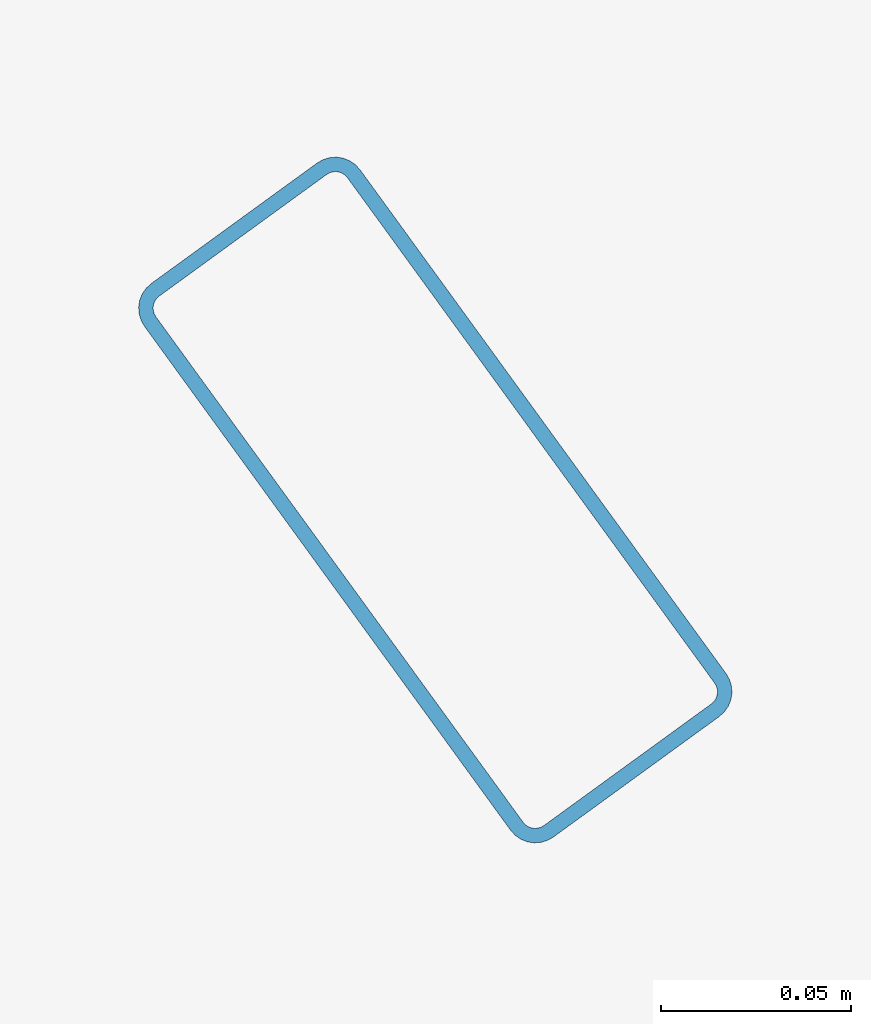
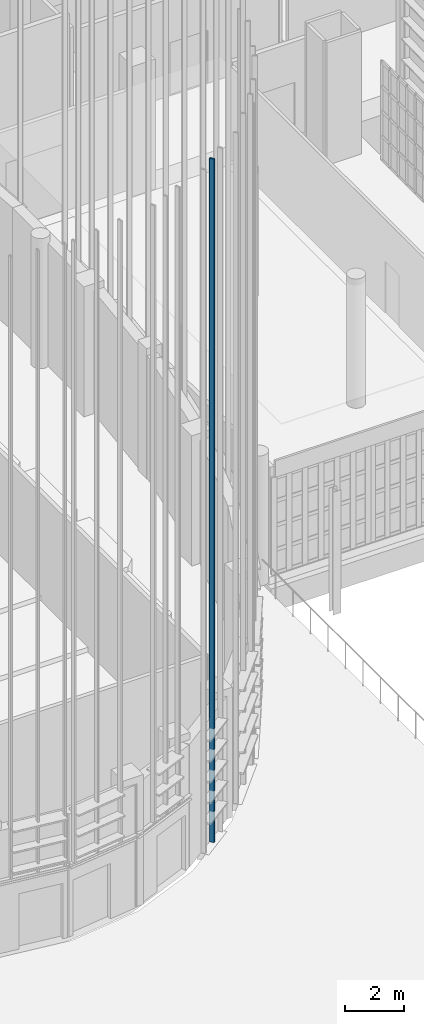
# One storey, part 52 of 372: 1 member.
"""IFC4 building model written with IfcOpenShell, lengths in metres."""

from ifc_helpers import new_model, si_unit, direction, frame, origin, origin_2d, place, context, subcontext, project, spatial, hollow_rectangle, extrude, material, material_profile, profile_set, type_object, element, save


model = new_model("IFC4")

# Units and contexts
model_context = context("Model", 3, precision=1e-05, world=origin(), true_north=direction((0.0, 1.0)))
body_context = subcontext(model_context, "Body", "Model", "MODEL_VIEW")
ifc_project = project(units=[si_unit("LENGTHUNIT", "METRE"), si_unit("AREAUNIT", "SQUARE_METRE"), si_unit("VOLUMEUNIT", "CUBIC_METRE"), si_unit("PLANEANGLEUNIT", "RADIAN"), si_unit("MASSUNIT", "GRAM", prefix="KILO")], contexts=[model_context])

# Site, building, storey
site_placement = place(None, origin())
site = spatial("IfcSite", under=ifc_project, at=site_placement, CompositionType="ELEMENT")
building_placement = place(site_placement, origin())
building = spatial("IfcBuilding", under=site, at=building_placement, Name="Kaelora Sail Theatre", CompositionType="ELEMENT")
storey_placement = place(building_placement, origin())
storey = spatial("IfcBuildingStorey", under=building, at=storey_placement, Name="L00", CompositionType="ELEMENT", Elevation=0.0)

# Member
ifc_material = material(Name="Anodised aluminium 6063-T6", Category="aluminium")
ifc_material_profile = material_profile(ifc_material, hollow_rectangle(XDim=0.070068359375, YDim=0.179931640625, WallThickness=0.00390625, InnerFilletRadius=0.00390625, OuterFilletRadius=0.008056640625, at=origin_2d()), Name="ALU-MULL 70x180x4")
ifc_profile_set = profile_set([ifc_material_profile], Name="Anodised aluminium 6063-T6")
member_type = type_object("IfcMemberType", Name="ARC-MEM-PST-160", PredefinedType="POST", material=ifc_profile_set)
member_placement = place(storey_placement, frame((49.068115234375, 26.093017578125, 0.0), z_axis=(0.0, 0.0, 1.0), x_axis=(-0.809016994375, -0.587785252292, 0.0)))
element("IfcMember", 1, at=member_placement, inside=storey, type_object=member_type, Name="Main Theatre Sail Drum solar louvre vertical support post C9-2", PredefinedType="POST", context=body_context, shape_type="SweptSolid", body=[
    extrude(hollow_rectangle(XDim=0.070068359375, YDim=0.179931640625, WallThickness=0.00390625, InnerFilletRadius=0.00390625, OuterFilletRadius=0.008056640625, at=origin_2d()), origin(), (0.0, 0.0, 1.0), 28.375),
])

save(model, "model.ifc")
